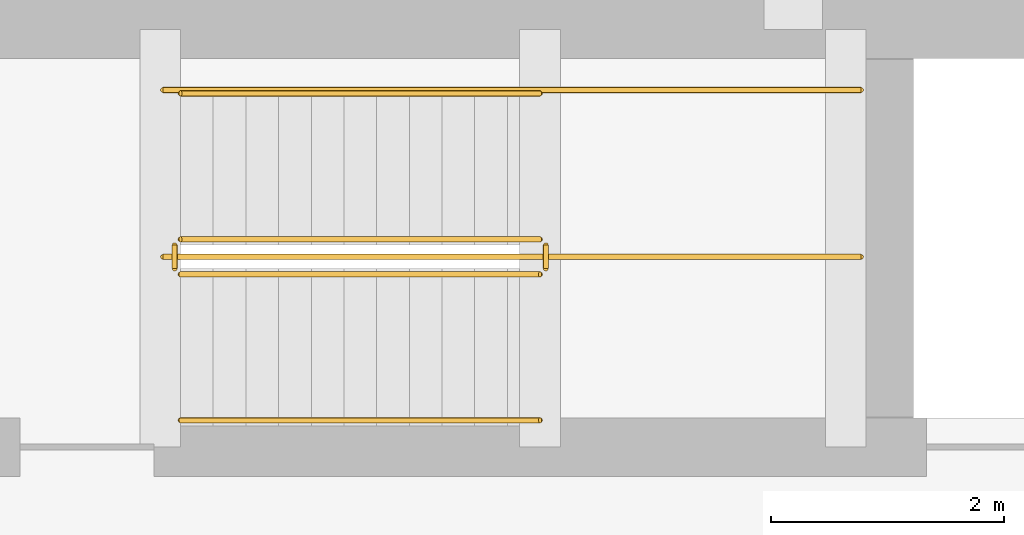
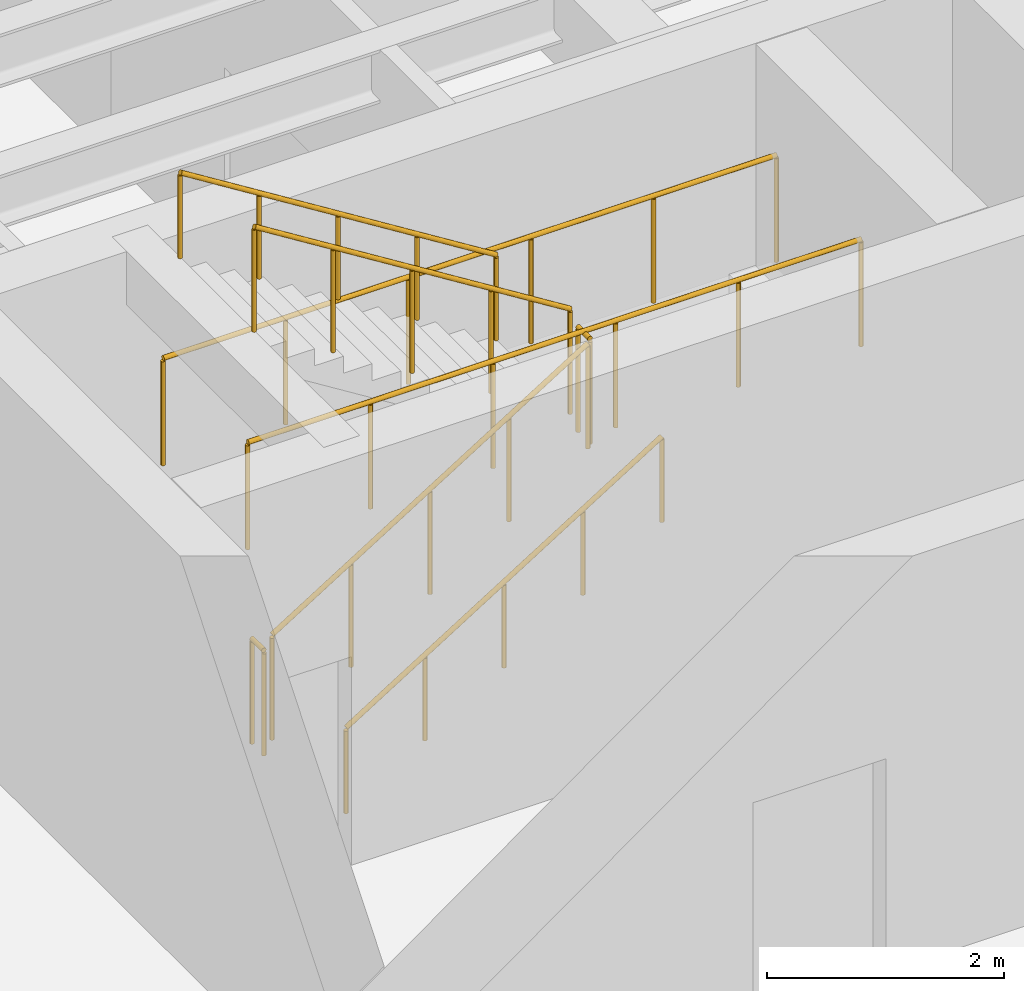
# One storey, part 31 of 33: 8 railings.
"""IFC4 building model written with IfcOpenShell, lengths in metres."""

from ifc_helpers import new_model, si_unit, direction, frame, origin, origin_2d, place, context, subcontext, project, spatial, circle, extrude, material, type_object, element, save


model = new_model("IFC4")

# Units and contexts
model_context = context("Model", 3, precision=1e-05, world=origin(), true_north=direction((0.0, 1.0)))
body_context = subcontext(model_context, "Body", "Model", "MODEL_VIEW")
ifc_project = project(units=[si_unit("LENGTHUNIT", "METRE"), si_unit("AREAUNIT", "SQUARE_METRE"), si_unit("VOLUMEUNIT", "CUBIC_METRE"), si_unit("PLANEANGLEUNIT", "RADIAN"), si_unit("MASSUNIT", "GRAM", prefix="KILO")], contexts=[model_context])

# Site, building, storey
site_placement = place(None, origin())
site = spatial("IfcSite", under=ifc_project, at=site_placement, CompositionType="ELEMENT")
building_placement = place(site_placement, origin())
building = spatial("IfcBuilding", under=site, at=building_placement, Name="Mithqara Police Headquarters", CompositionType="ELEMENT")
storey_placement = place(building_placement, frame((0.0, 0.0, -4.199951171875)))
storey = spatial("IfcBuildingStorey", under=building, at=storey_placement, Name="B1", CompositionType="ELEMENT", Elevation=-4.199951171875)

# Railings
ifc_material = material(Name="Steel S355JR", Category="steel")
railing_type_1 = type_object("IfcRailingType", Name="HANDRAIL 920", PredefinedType="HANDRAIL", material=ifc_material)
railing_1_placement = place(storey_placement, frame((153.75, 46.449951171875, 0.175048828125)))
element("IfcRailing", 1, at=railing_1_placement, inside=storey, type_object=railing_type_1, Name="B1 ST-04 stair handrail 1", PredefinedType="HANDRAIL", context=body_context, shape_type="SweptSolid", body=[
    extrude(circle(Radius=0.02392578125, at=origin_2d()), frame((0.0, 0.0, 0.8759765625), z_axis=(0.848028513186, 0.0, 0.529950602248), x_axis=(0.0, 1.0, 0.0)), (0.0, 0.0, 1.0), 3.632080078125),
    extrude(circle(Radius=0.02099609375, at=origin_2d()), origin(), (0.0, 0.0, 1.0), 0.851806640625),
    extrude(circle(Radius=0.02099609375, at=origin_2d()), frame((0.77001953125, 0.0, 0.481201171875)), (0.0, 0.0, 1.0), 0.851806640625),
    extrude(circle(Radius=0.02099609375, at=origin_2d()), frame((1.5400390625, 0.0, 0.96240234375)), (0.0, 0.0, 1.0), 0.851806640625),
    extrude(circle(Radius=0.02099609375, at=origin_2d()), frame((2.31005859375, 0.0, 1.443603515625)), (0.0, 0.0, 1.0), 0.851806640625),
    extrude(circle(Radius=0.02099609375, at=origin_2d()), frame((3.080078125, 0.0, 1.9248046875)), (0.0, 0.0, 1.0), 0.851806640625),
])
railing_2_placement = place(storey_placement, frame((156.830078125, 49.25, 2.27490234375)))
element("IfcRailing", 2, at=railing_2_placement, inside=storey, type_object=railing_type_1, Name="B1 ST-04 stair handrail 2", PredefinedType="HANDRAIL", context=body_context, shape_type="SweptSolid", body=[
    extrude(circle(Radius=0.02392578125, at=origin_2d()), frame((0.0, 0.0, 0.8759765625), z_axis=(-0.847998304005, 0.0, 0.529998940003), x_axis=(0.0, -1.0, 0.0)), (0.0, 0.0, 1.0), 3.632080078125),
    extrude(circle(Radius=0.02099609375, at=origin_2d()), origin(), (0.0, 0.0, 1.0), 0.851806640625),
    extrude(circle(Radius=0.02099609375, at=origin_2d()), frame((-0.77001953125, 0.0, 0.481201171875)), (0.0, 0.0, 1.0), 0.851806640625),
    extrude(circle(Radius=0.02099609375, at=origin_2d()), frame((-1.5400390625, 0.0, 0.96240234375)), (0.0, 0.0, 1.0), 0.851806640625),
    extrude(circle(Radius=0.02099609375, at=origin_2d()), frame((-2.31005859375, 0.0, 1.44384765625)), (0.0, 0.0, 1.0), 0.851806640625),
    extrude(circle(Radius=0.02099609375, at=origin_2d()), frame((-3.080078125, 0.0, 1.925048828125)), (0.0, 0.0, 1.0), 0.851806640625),
])
railing_type_2 = type_object("IfcRailingType", Name="STAIR GUARD 1120", PredefinedType="GUARDRAIL", material=ifc_material)
railing_3_placement = place(storey_placement, frame((153.75, 47.699951171875, 0.175048828125)))
element("IfcRailing", 3, at=railing_3_placement, inside=storey, type_object=railing_type_2, Name="B1 ST-04 stair guard 1", PredefinedType="GUARDRAIL", context=body_context, shape_type="SweptSolid", body=[
    extrude(circle(Radius=0.02392578125, at=origin_2d()), frame((0.0, 0.0, 1.076171875), z_axis=(0.848028513186, 0.0, 0.529950602248), x_axis=(0.0, 1.0, 0.0)), (0.0, 0.0, 1.0), 3.632080078125),
    extrude(circle(Radius=0.02099609375, at=origin_2d()), origin(), (0.0, 0.0, 1.0), 1.052001953125),
    extrude(circle(Radius=0.02099609375, at=origin_2d()), frame((0.77001953125, 0.0, 0.481201171875)), (0.0, 0.0, 1.0), 1.052001953125),
    extrude(circle(Radius=0.02099609375, at=origin_2d()), frame((1.5400390625, 0.0, 0.96240234375)), (0.0, 0.0, 1.0), 1.052001953125),
    extrude(circle(Radius=0.02099609375, at=origin_2d()), frame((2.31005859375, 0.0, 1.443603515625)), (0.0, 0.0, 1.0), 1.052001953125),
    extrude(circle(Radius=0.02099609375, at=origin_2d()), frame((3.080078125, 0.0, 1.9248046875)), (0.0, 0.0, 1.0), 1.052001953125),
])
railing_4_placement = place(storey_placement, frame((156.8798828125, 47.75, 2.099853515625)))
element("IfcRailing", 4, at=railing_4_placement, inside=storey, type_object=railing_type_2, Name="B1 ST-04 stair guard 2", PredefinedType="GUARDRAIL", context=body_context, shape_type="SweptSolid", body=[
    extrude(circle(Radius=0.02392578125, at=origin_2d()), frame((0.0, 0.0, 1.076171875), z_axis=(0.0, 1.0, 0.0), x_axis=(-1.0, 0.0, 0.0)), (0.0, 0.0, 1.0), 0.199951171875),
    extrude(circle(Radius=0.02099609375, at=origin_2d()), origin(), (0.0, 0.0, 1.0), 1.052001953125),
    extrude(circle(Radius=0.02099609375, at=origin_2d()), frame((0.0, 0.199951171875, 0.0)), (0.0, 0.0, 1.0), 1.052001953125),
])
railing_5_placement = place(storey_placement, frame((156.830078125, 48.0, 2.27490234375)))
element("IfcRailing", 5, at=railing_5_placement, inside=storey, type_object=railing_type_2, Name="B1 ST-04 stair guard 3", PredefinedType="GUARDRAIL", context=body_context, shape_type="SweptSolid", body=[
    extrude(circle(Radius=0.02392578125, at=origin_2d()), frame((0.0, 0.0, 1.076171875), z_axis=(-0.847998304005, 0.0, 0.529998940003), x_axis=(0.0, -1.0, 0.0)), (0.0, 0.0, 1.0), 3.632080078125),
    extrude(circle(Radius=0.02099609375, at=origin_2d()), origin(), (0.0, 0.0, 1.0), 1.052001953125),
    extrude(circle(Radius=0.02099609375, at=origin_2d()), frame((-0.77001953125, 0.0, 0.481201171875)), (0.0, 0.0, 1.0), 1.052001953125),
    extrude(circle(Radius=0.02099609375, at=origin_2d()), frame((-1.5400390625, 0.0, 0.96240234375)), (0.0, 0.0, 1.0), 1.052001953125),
    extrude(circle(Radius=0.02099609375, at=origin_2d()), frame((-2.31005859375, 0.0, 1.44384765625)), (0.0, 0.0, 1.0), 1.052001953125),
    extrude(circle(Radius=0.02099609375, at=origin_2d()), frame((-3.080078125, 0.0, 1.925048828125)), (0.0, 0.0, 1.0), 1.052001953125),
])
railing_6_placement = place(storey_placement, frame((153.699951171875, 47.75, 0.0)))
element("IfcRailing", 6, at=railing_6_placement, inside=storey, type_object=railing_type_2, Name="B1 ST-04 stair guard 4", PredefinedType="GUARDRAIL", context=body_context, shape_type="SweptSolid", body=[
    extrude(circle(Radius=0.02392578125, at=origin_2d()), frame((0.0, 0.0, 1.076171875), z_axis=(0.0, 1.0, 0.0), x_axis=(-1.0, 0.0, 0.0)), (0.0, 0.0, 1.0), 0.199951171875),
    extrude(circle(Radius=0.02099609375, at=origin_2d()), origin(), (0.0, 0.0, 1.0), 1.052001953125),
    extrude(circle(Radius=0.02099609375, at=origin_2d()), frame((0.0, 0.199951171875, 0.0)), (0.0, 0.0, 1.0), 1.052001953125),
])
for number, where, name in (
    (7, (153.60009765625, 47.85009765625, 2.099853515625), "B1 ST-04 Half-Landing Guard IN"),
    (8, (153.60009765625, 49.280029296875, 2.099853515625), "B1 ST-04 Half-Landing Guard OUT"),
):
    element("IfcRailing", number, at=place(storey_placement, frame(where)), inside=storey, type_object=railing_type_2, Name=name, PredefinedType="GUARDRAIL", context=body_context, shape_type="SweptSolid", body=[
        extrude(circle(Radius=0.02392578125, at=origin_2d()), frame((0.0, 0.0, 1.09619140625), z_axis=(1.0, 0.0, 0.0), x_axis=(0.0, 1.0, 0.0)), (0.0, 0.0, 1.0), 5.97998046875),
        extrude(circle(Radius=0.02099609375, at=origin_2d()), origin(), (0.0, 0.0, 1.0), 1.072021484375),
        extrude(circle(Radius=0.02099609375, at=origin_2d()), frame((1.196044921875, 0.0, 0.0)), (0.0, 0.0, 1.0), 1.072021484375),
        extrude(circle(Radius=0.02099609375, at=origin_2d()), frame((2.39208984375, 0.0, 0.0)), (0.0, 0.0, 1.0), 1.072021484375),
        extrude(circle(Radius=0.02099609375, at=origin_2d()), frame((3.587890625, 0.0, 0.0)), (0.0, 0.0, 1.0), 1.072021484375),
        extrude(circle(Radius=0.02099609375, at=origin_2d()), frame((4.783935546875, 0.0, 0.0)), (0.0, 0.0, 1.0), 1.072021484375),
        extrude(circle(Radius=0.02099609375, at=origin_2d()), frame((5.97998046875, 0.0, 0.0)), (0.0, 0.0, 1.0), 1.072021484375),
    ])

save(model, "model.ifc")
